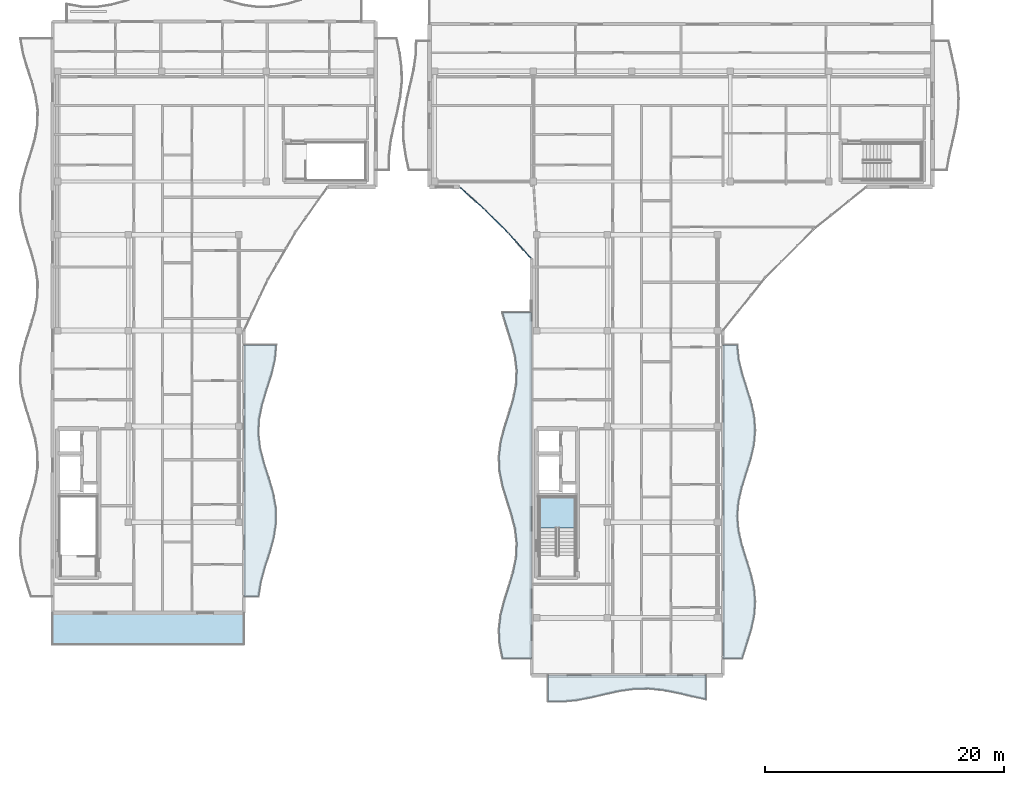
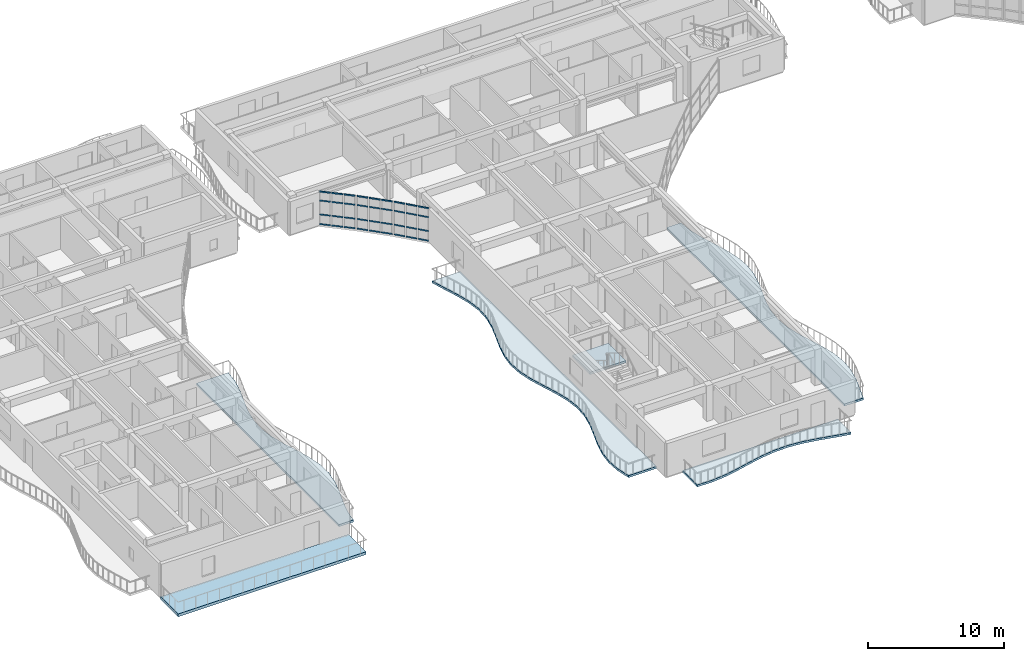
# One storey, part 22 of 68: 36 members, 6 slabs, 4 elements without a shape of their own.
"""IFC4 building model written with IfcOpenShell, lengths in metres."""

from ifc_helpers import new_model, si_unit, direction, frame, origin, origin_2d, place, context, subcontext, project, spatial, polyline, hollow_rectangle, outline, extrude, material, layer, layer_set, material_profile, profile_set, type_object, element, aggregate, save


model = new_model("IFC4")

# Units and contexts
model_context = context("Model", 3, precision=1e-05, world=origin(), true_north=direction((0.0, 1.0)))
body_context = subcontext(model_context, "Body", "Model", "MODEL_VIEW")
ifc_project = project(units=[si_unit("LENGTHUNIT", "METRE"), si_unit("AREAUNIT", "SQUARE_METRE"), si_unit("VOLUMEUNIT", "CUBIC_METRE"), si_unit("PLANEANGLEUNIT", "RADIAN"), si_unit("MASSUNIT", "GRAM", prefix="KILO")], contexts=[model_context])

# Site, building, storey
site_placement = place(None, origin())
site = spatial("IfcSite", under=ifc_project, at=site_placement, CompositionType="ELEMENT")
building_placement = place(site_placement, origin())
building = spatial("IfcBuilding", under=site, at=building_placement, Name="Keldmere Railside Commons", CompositionType="ELEMENT")
storey_placement = place(building_placement, frame((0.0, 0.0, 23.360107421875)))
storey = spatial("IfcBuildingStorey", under=building, at=storey_placement, Name="L07", CompositionType="ELEMENT", Elevation=23.360107421875)

# Curtain wall, members
ifc_material_1 = material(Name="Thermally Broken Aluminium", Category="aluminium")
ifc_layer_1 = layer(ifc_material_1, 0.159912109375, Name="Court Chord Wintergarden CW 4800x2850")
ifc_layer_set_1 = layer_set([ifc_layer_1], Name="Thermally Broken Aluminium")
curtain_wall_type_1 = type_object("IfcCurtainWallType", Name="Court Chord Wintergarden CW 4800x2850", PredefinedType="NOTDEFINED", material=ifc_layer_set_1)
curtain_wall_1_placement = place(storey_placement, origin())
curtain_wall_1 = element("IfcCurtainWall", 1, at=curtain_wall_1_placement, inside=storey, type_object=curtain_wall_type_1, Name="CW-12 CW-L07-070", PredefinedType="NOTDEFINED")
ifc_material_profile = material_profile(ifc_material_1, hollow_rectangle(XDim=0.06494140625, YDim=0.1201171875, WallThickness=0.00390625, at=origin_2d()), Name="ALU-TRAN-65x120")
ifc_profile_set = profile_set([ifc_material_profile], Name="Thermally Broken Aluminium")
member_type = type_object("IfcMemberType", Name="Unitised Curtain Wall Transom 65x120", PredefinedType="USERDEFINED", material=ifc_profile_set)
member_1_placement = place(storey_placement, frame((44.0595703125, 98.1533203125, 0.032470703125), z_axis=(-0.744569440646, 0.667545015752, 0.0), x_axis=(-0.667545015752, -0.744569440646, 0.0)))
member_1 = element("IfcMember", 2, at=member_1_placement, type_object=member_type, Name="CW-12 transom 1.1", ObjectType="TRANSOM", PredefinedType="USERDEFINED", context=body_context, shape_type="SweptSolid", body=[
    extrude(hollow_rectangle(XDim=0.06494140625, YDim=0.1201171875, WallThickness=0.00390625, at=origin_2d()), origin(), (0.0, 0.0, 1.0), 0.84619140625),
])
member_2_placement = place(storey_placement, frame((44.0595703125, 98.1533203125, 0.89990234375), z_axis=(-0.744569440646, 0.667545015752, 0.0), x_axis=(-0.667545015752, -0.744569440646, 0.0)))
member_2 = element("IfcMember", 3, at=member_2_placement, type_object=member_type, Name="CW-12 transom 1.2", ObjectType="TRANSOM", PredefinedType="USERDEFINED", context=body_context, shape_type="SweptSolid", body=[
    extrude(hollow_rectangle(XDim=0.06494140625, YDim=0.1201171875, WallThickness=0.00390625, at=origin_2d()), origin(), (0.0, 0.0, 1.0), 0.84619140625),
])
member_3_placement = place(storey_placement, frame((44.0595703125, 98.1533203125, 2.14990234375), z_axis=(-0.744569440646, 0.667545015752, 0.0), x_axis=(-0.667545015752, -0.744569440646, 0.0)))
member_3 = element("IfcMember", 4, at=member_3_placement, type_object=member_type, Name="CW-12 transom 1.3", ObjectType="TRANSOM", PredefinedType="USERDEFINED", context=body_context, shape_type="SweptSolid", body=[
    extrude(hollow_rectangle(XDim=0.06494140625, YDim=0.1201171875, WallThickness=0.00390625, at=origin_2d()), origin(), (0.0, 0.0, 1.0), 0.84619140625),
])
member_4_placement = place(storey_placement, frame((44.0595703125, 98.1533203125, 2.947509765625), z_axis=(-0.744569440646, 0.667545015752, 0.0), x_axis=(-0.667545015752, -0.744569440646, 0.0)))
member_4 = element("IfcMember", 5, at=member_4_placement, type_object=member_type, Name="CW-12 transom 1.4", ObjectType="TRANSOM", PredefinedType="USERDEFINED", context=body_context, shape_type="SweptSolid", body=[
    extrude(hollow_rectangle(XDim=0.06494140625, YDim=0.1201171875, WallThickness=0.00390625, at=origin_2d()), origin(), (0.0, 0.0, 1.0), 0.84619140625),
])
member_5_placement = place(storey_placement, frame((43.381103515625, 98.76171875, 0.032470703125), z_axis=(-0.744536109606, 0.667582190815, 0.0), x_axis=(-0.667582190815, -0.744536109606, 0.0)))
member_5 = element("IfcMember", 6, at=member_5_placement, type_object=member_type, Name="CW-12 transom 2.1", ObjectType="TRANSOM", PredefinedType="USERDEFINED", context=body_context, shape_type="SweptSolid", body=[
    extrude(hollow_rectangle(XDim=0.06494140625, YDim=0.1201171875, WallThickness=0.00390625, at=origin_2d()), origin(), (0.0, 0.0, 1.0), 0.87890625),
])
member_6_placement = place(storey_placement, frame((43.381103515625, 98.76171875, 0.89990234375), z_axis=(-0.744536109606, 0.667582190815, 0.0), x_axis=(-0.667582190815, -0.744536109606, 0.0)))
member_6 = element("IfcMember", 7, at=member_6_placement, type_object=member_type, Name="CW-12 transom 2.2", ObjectType="TRANSOM", PredefinedType="USERDEFINED", context=body_context, shape_type="SweptSolid", body=[
    extrude(hollow_rectangle(XDim=0.06494140625, YDim=0.1201171875, WallThickness=0.00390625, at=origin_2d()), origin(), (0.0, 0.0, 1.0), 0.87890625),
])
member_7_placement = place(storey_placement, frame((43.381103515625, 98.76171875, 2.14990234375), z_axis=(-0.744536109606, 0.667582190815, 0.0), x_axis=(-0.667582190815, -0.744536109606, 0.0)))
member_7 = element("IfcMember", 8, at=member_7_placement, type_object=member_type, Name="CW-12 transom 2.3", ObjectType="TRANSOM", PredefinedType="USERDEFINED", context=body_context, shape_type="SweptSolid", body=[
    extrude(hollow_rectangle(XDim=0.06494140625, YDim=0.1201171875, WallThickness=0.00390625, at=origin_2d()), origin(), (0.0, 0.0, 1.0), 0.87890625),
])
member_8_placement = place(storey_placement, frame((43.381103515625, 98.76171875, 2.947509765625), z_axis=(-0.744536109606, 0.667582190815, 0.0), x_axis=(-0.667582190815, -0.744536109606, 0.0)))
member_8 = element("IfcMember", 9, at=member_8_placement, type_object=member_type, Name="CW-12 transom 2.4", ObjectType="TRANSOM", PredefinedType="USERDEFINED", context=body_context, shape_type="SweptSolid", body=[
    extrude(hollow_rectangle(XDim=0.06494140625, YDim=0.1201171875, WallThickness=0.00390625, at=origin_2d()), origin(), (0.0, 0.0, 1.0), 0.87890625),
])
member_9_placement = place(storey_placement, frame((42.678466796875, 99.3916015625, 0.032470703125), z_axis=(-0.744569440646, 0.667545015752, 0.0), x_axis=(-0.667545015752, -0.744569440646, 0.0)))
member_9 = element("IfcMember", 10, at=member_9_placement, type_object=member_type, Name="CW-12 transom 3.1", ObjectType="TRANSOM", PredefinedType="USERDEFINED", context=body_context, shape_type="SweptSolid", body=[
    extrude(hollow_rectangle(XDim=0.06494140625, YDim=0.1201171875, WallThickness=0.00390625, at=origin_2d()), origin(), (0.0, 0.0, 1.0), 0.84619140625),
])
member_10_placement = place(storey_placement, frame((42.678466796875, 99.3916015625, 0.89990234375), z_axis=(-0.744569440646, 0.667545015752, 0.0), x_axis=(-0.667545015752, -0.744569440646, 0.0)))
member_10 = element("IfcMember", 11, at=member_10_placement, type_object=member_type, Name="CW-12 transom 3.2", ObjectType="TRANSOM", PredefinedType="USERDEFINED", context=body_context, shape_type="SweptSolid", body=[
    extrude(hollow_rectangle(XDim=0.06494140625, YDim=0.1201171875, WallThickness=0.00390625, at=origin_2d()), origin(), (0.0, 0.0, 1.0), 0.84619140625),
])
member_11_placement = place(storey_placement, frame((42.678466796875, 99.3916015625, 2.14990234375), z_axis=(-0.744569440646, 0.667545015752, 0.0), x_axis=(-0.667545015752, -0.744569440646, 0.0)))
member_11 = element("IfcMember", 12, at=member_11_placement, type_object=member_type, Name="CW-12 transom 3.3", ObjectType="TRANSOM", PredefinedType="USERDEFINED", context=body_context, shape_type="SweptSolid", body=[
    extrude(hollow_rectangle(XDim=0.06494140625, YDim=0.1201171875, WallThickness=0.00390625, at=origin_2d()), origin(), (0.0, 0.0, 1.0), 0.84619140625),
])
member_12_placement = place(storey_placement, frame((42.678466796875, 99.3916015625, 2.947509765625), z_axis=(-0.744569440646, 0.667545015752, 0.0), x_axis=(-0.667545015752, -0.744569440646, 0.0)))
member_12 = element("IfcMember", 13, at=member_12_placement, type_object=member_type, Name="CW-12 transom 3.4", ObjectType="TRANSOM", PredefinedType="USERDEFINED", context=body_context, shape_type="SweptSolid", body=[
    extrude(hollow_rectangle(XDim=0.06494140625, YDim=0.1201171875, WallThickness=0.00390625, at=origin_2d()), origin(), (0.0, 0.0, 1.0), 0.84619140625),
])
aggregate(curtain_wall_1, [member_1, member_2, member_3, member_4, member_5, member_6, member_7, member_8, member_9, member_10, member_11, member_12])

ifc_layer_2 = layer(ifc_material_1, 0.159912109375, Name="Court Chord Wintergarden CW 5400x2850")
ifc_layer_set_2 = layer_set([ifc_layer_2], Name="Thermally Broken Aluminium")
curtain_wall_type_2 = type_object("IfcCurtainWallType", Name="Court Chord Wintergarden CW 5400x2850", PredefinedType="NOTDEFINED", material=ifc_layer_set_2)
curtain_wall_2_placement = place(storey_placement, origin())
curtain_wall_2 = element("IfcCurtainWall", 14, at=curtain_wall_2_placement, inside=storey, type_object=curtain_wall_type_2, Name="CW-13 CW-L07-071", PredefinedType="NOTDEFINED")
member_13_placement = place(storey_placement, frame((46.06396484375, 96.154052734375, 0.032470703125), z_axis=(-0.707106781187, 0.707106781187, 0.0), x_axis=(-0.707106781187, -0.707106781187, 0.0)))
member_13 = element("IfcMember", 15, at=member_13_placement, type_object=member_type, Name="CW-13 transom 1.1", ObjectType="TRANSOM", PredefinedType="USERDEFINED", context=body_context, shape_type="SweptSolid", body=[
    extrude(hollow_rectangle(XDim=0.06494140625, YDim=0.1201171875, WallThickness=0.00390625, at=origin_2d()), origin(), (0.0, 0.0, 1.0), 0.84619140625),
])
member_14_placement = place(storey_placement, frame((46.06396484375, 96.154052734375, 0.89990234375), z_axis=(-0.707106781187, 0.707106781187, 0.0), x_axis=(-0.707106781187, -0.707106781187, 0.0)))
member_14 = element("IfcMember", 16, at=member_14_placement, type_object=member_type, Name="CW-13 transom 1.2", ObjectType="TRANSOM", PredefinedType="USERDEFINED", context=body_context, shape_type="SweptSolid", body=[
    extrude(hollow_rectangle(XDim=0.06494140625, YDim=0.1201171875, WallThickness=0.00390625, at=origin_2d()), origin(), (0.0, 0.0, 1.0), 0.84619140625),
])
member_15_placement = place(storey_placement, frame((46.06396484375, 96.154052734375, 2.14990234375), z_axis=(-0.707106781187, 0.707106781187, 0.0), x_axis=(-0.707106781187, -0.707106781187, 0.0)))
member_15 = element("IfcMember", 17, at=member_15_placement, type_object=member_type, Name="CW-13 transom 1.3", ObjectType="TRANSOM", PredefinedType="USERDEFINED", context=body_context, shape_type="SweptSolid", body=[
    extrude(hollow_rectangle(XDim=0.06494140625, YDim=0.1201171875, WallThickness=0.00390625, at=origin_2d()), origin(), (0.0, 0.0, 1.0), 0.84619140625),
])
member_16_placement = place(storey_placement, frame((46.06396484375, 96.154052734375, 2.947509765625), z_axis=(-0.707106781187, 0.707106781187, 0.0), x_axis=(-0.707106781187, -0.707106781187, 0.0)))
member_16 = element("IfcMember", 18, at=member_16_placement, type_object=member_type, Name="CW-13 transom 1.4", ObjectType="TRANSOM", PredefinedType="USERDEFINED", context=body_context, shape_type="SweptSolid", body=[
    extrude(hollow_rectangle(XDim=0.06494140625, YDim=0.1201171875, WallThickness=0.00390625, at=origin_2d()), origin(), (0.0, 0.0, 1.0), 0.84619140625),
])
member_17_placement = place(storey_placement, frame((45.419677734375, 96.79833984375, 0.032470703125), z_axis=(-0.707106781187, 0.707106781187, 0.0), x_axis=(-0.707106781187, -0.707106781187, 0.0)))
member_17 = element("IfcMember", 19, at=member_17_placement, type_object=member_type, Name="CW-13 transom 2.1", ObjectType="TRANSOM", PredefinedType="USERDEFINED", context=body_context, shape_type="SweptSolid", body=[
    extrude(hollow_rectangle(XDim=0.06494140625, YDim=0.1201171875, WallThickness=0.00390625, at=origin_2d()), origin(), (0.0, 0.0, 1.0), 0.878662109375),
])
member_18_placement = place(storey_placement, frame((45.419677734375, 96.79833984375, 0.89990234375), z_axis=(-0.707106781187, 0.707106781187, 0.0), x_axis=(-0.707106781187, -0.707106781187, 0.0)))
member_18 = element("IfcMember", 20, at=member_18_placement, type_object=member_type, Name="CW-13 transom 2.2", ObjectType="TRANSOM", PredefinedType="USERDEFINED", context=body_context, shape_type="SweptSolid", body=[
    extrude(hollow_rectangle(XDim=0.06494140625, YDim=0.1201171875, WallThickness=0.00390625, at=origin_2d()), origin(), (0.0, 0.0, 1.0), 0.878662109375),
])
member_19_placement = place(storey_placement, frame((45.419677734375, 96.79833984375, 2.14990234375), z_axis=(-0.707106781187, 0.707106781187, 0.0), x_axis=(-0.707106781187, -0.707106781187, 0.0)))
member_19 = element("IfcMember", 21, at=member_19_placement, type_object=member_type, Name="CW-13 transom 2.3", ObjectType="TRANSOM", PredefinedType="USERDEFINED", context=body_context, shape_type="SweptSolid", body=[
    extrude(hollow_rectangle(XDim=0.06494140625, YDim=0.1201171875, WallThickness=0.00390625, at=origin_2d()), origin(), (0.0, 0.0, 1.0), 0.878662109375),
])
member_20_placement = place(storey_placement, frame((45.419677734375, 96.79833984375, 2.947509765625), z_axis=(-0.707106781187, 0.707106781187, 0.0), x_axis=(-0.707106781187, -0.707106781187, 0.0)))
member_20 = element("IfcMember", 22, at=member_20_placement, type_object=member_type, Name="CW-13 transom 2.4", ObjectType="TRANSOM", PredefinedType="USERDEFINED", context=body_context, shape_type="SweptSolid", body=[
    extrude(hollow_rectangle(XDim=0.06494140625, YDim=0.1201171875, WallThickness=0.00390625, at=origin_2d()), origin(), (0.0, 0.0, 1.0), 0.878662109375),
])
member_21_placement = place(storey_placement, frame((44.75244140625, 97.465576171875, 0.032470703125), z_axis=(-0.707106781187, 0.707106781187, 0.0), x_axis=(-0.707106781187, -0.707106781187, 0.0)))
member_21 = element("IfcMember", 23, at=member_21_placement, type_object=member_type, Name="CW-13 transom 3.1", ObjectType="TRANSOM", PredefinedType="USERDEFINED", context=body_context, shape_type="SweptSolid", body=[
    extrude(hollow_rectangle(XDim=0.06494140625, YDim=0.1201171875, WallThickness=0.00390625, at=origin_2d()), origin(), (0.0, 0.0, 1.0), 0.84619140625),
])
member_22_placement = place(storey_placement, frame((44.75244140625, 97.465576171875, 0.89990234375), z_axis=(-0.707106781187, 0.707106781187, 0.0), x_axis=(-0.707106781187, -0.707106781187, 0.0)))
member_22 = element("IfcMember", 24, at=member_22_placement, type_object=member_type, Name="CW-13 transom 3.2", ObjectType="TRANSOM", PredefinedType="USERDEFINED", context=body_context, shape_type="SweptSolid", body=[
    extrude(hollow_rectangle(XDim=0.06494140625, YDim=0.1201171875, WallThickness=0.00390625, at=origin_2d()), origin(), (0.0, 0.0, 1.0), 0.84619140625),
])
member_23_placement = place(storey_placement, frame((44.75244140625, 97.465576171875, 2.14990234375), z_axis=(-0.707106781187, 0.707106781187, 0.0), x_axis=(-0.707106781187, -0.707106781187, 0.0)))
member_23 = element("IfcMember", 25, at=member_23_placement, type_object=member_type, Name="CW-13 transom 3.3", ObjectType="TRANSOM", PredefinedType="USERDEFINED", context=body_context, shape_type="SweptSolid", body=[
    extrude(hollow_rectangle(XDim=0.06494140625, YDim=0.1201171875, WallThickness=0.00390625, at=origin_2d()), origin(), (0.0, 0.0, 1.0), 0.84619140625),
])
member_24_placement = place(storey_placement, frame((44.75244140625, 97.465576171875, 2.947509765625), z_axis=(-0.707106781187, 0.707106781187, 0.0), x_axis=(-0.707106781187, -0.707106781187, 0.0)))
member_24 = element("IfcMember", 26, at=member_24_placement, type_object=member_type, Name="CW-13 transom 3.4", ObjectType="TRANSOM", PredefinedType="USERDEFINED", context=body_context, shape_type="SweptSolid", body=[
    extrude(hollow_rectangle(XDim=0.06494140625, YDim=0.1201171875, WallThickness=0.00390625, at=origin_2d()), origin(), (0.0, 0.0, 1.0), 0.84619140625),
])
aggregate(curtain_wall_2, [member_13, member_14, member_15, member_16, member_17, member_18, member_19, member_20, member_21, member_22, member_23, member_24])

curtain_wall_3_placement = place(storey_placement, origin())
curtain_wall_3 = element("IfcCurtainWall", 27, at=curtain_wall_3_placement, inside=storey, type_object=curtain_wall_type_1, Name="CW-12 CW-L07-072", PredefinedType="NOTDEFINED")
member_25_placement = place(storey_placement, frame((47.95654296875, 94.04833984375, 0.032470703125), z_axis=(-0.667545015752, 0.744569440646, 0.0), x_axis=(-0.744569440646, -0.667545015752, 0.0)))
member_25 = element("IfcMember", 28, at=member_25_placement, type_object=member_type, Name="CW-12 transom 1.1", ObjectType="TRANSOM", PredefinedType="USERDEFINED", context=body_context, shape_type="SweptSolid", body=[
    extrude(hollow_rectangle(XDim=0.06494140625, YDim=0.1201171875, WallThickness=0.00390625, at=origin_2d()), origin(), (0.0, 0.0, 1.0), 0.84619140625),
])
member_26_placement = place(storey_placement, frame((47.95654296875, 94.04833984375, 0.89990234375), z_axis=(-0.667545015752, 0.744569440646, 0.0), x_axis=(-0.744569440646, -0.667545015752, 0.0)))
member_26 = element("IfcMember", 29, at=member_26_placement, type_object=member_type, Name="CW-12 transom 1.2", ObjectType="TRANSOM", PredefinedType="USERDEFINED", context=body_context, shape_type="SweptSolid", body=[
    extrude(hollow_rectangle(XDim=0.06494140625, YDim=0.1201171875, WallThickness=0.00390625, at=origin_2d()), origin(), (0.0, 0.0, 1.0), 0.84619140625),
])
member_27_placement = place(storey_placement, frame((47.95654296875, 94.04833984375, 2.14990234375), z_axis=(-0.667545015752, 0.744569440646, 0.0), x_axis=(-0.744569440646, -0.667545015752, 0.0)))
member_27 = element("IfcMember", 30, at=member_27_placement, type_object=member_type, Name="CW-12 transom 1.3", ObjectType="TRANSOM", PredefinedType="USERDEFINED", context=body_context, shape_type="SweptSolid", body=[
    extrude(hollow_rectangle(XDim=0.06494140625, YDim=0.1201171875, WallThickness=0.00390625, at=origin_2d()), origin(), (0.0, 0.0, 1.0), 0.84619140625),
])
member_28_placement = place(storey_placement, frame((47.95654296875, 94.04833984375, 2.947509765625), z_axis=(-0.667545015752, 0.744569440646, 0.0), x_axis=(-0.744569440646, -0.667545015752, 0.0)))
member_28 = element("IfcMember", 31, at=member_28_placement, type_object=member_type, Name="CW-12 transom 1.4", ObjectType="TRANSOM", PredefinedType="USERDEFINED", context=body_context, shape_type="SweptSolid", body=[
    extrude(hollow_rectangle(XDim=0.06494140625, YDim=0.1201171875, WallThickness=0.00390625, at=origin_2d()), origin(), (0.0, 0.0, 1.0), 0.84619140625),
])
member_29_placement = place(storey_placement, frame((47.348388671875, 94.726806640625, 0.032470703125), z_axis=(-0.667582190815, 0.744536109606, 0.0), x_axis=(-0.744536109606, -0.667582190815, 0.0)))
member_29 = element("IfcMember", 32, at=member_29_placement, type_object=member_type, Name="CW-12 transom 2.1", ObjectType="TRANSOM", PredefinedType="USERDEFINED", context=body_context, shape_type="SweptSolid", body=[
    extrude(hollow_rectangle(XDim=0.06494140625, YDim=0.1201171875, WallThickness=0.00390625, at=origin_2d()), origin(), (0.0, 0.0, 1.0), 0.87890625),
])
member_30_placement = place(storey_placement, frame((47.348388671875, 94.726806640625, 0.89990234375), z_axis=(-0.667582190815, 0.744536109606, 0.0), x_axis=(-0.744536109606, -0.667582190815, 0.0)))
member_30 = element("IfcMember", 33, at=member_30_placement, type_object=member_type, Name="CW-12 transom 2.2", ObjectType="TRANSOM", PredefinedType="USERDEFINED", context=body_context, shape_type="SweptSolid", body=[
    extrude(hollow_rectangle(XDim=0.06494140625, YDim=0.1201171875, WallThickness=0.00390625, at=origin_2d()), origin(), (0.0, 0.0, 1.0), 0.87890625),
])
member_31_placement = place(storey_placement, frame((47.348388671875, 94.726806640625, 2.14990234375), z_axis=(-0.667582190815, 0.744536109606, 0.0), x_axis=(-0.744536109606, -0.667582190815, 0.0)))
member_31 = element("IfcMember", 34, at=member_31_placement, type_object=member_type, Name="CW-12 transom 2.3", ObjectType="TRANSOM", PredefinedType="USERDEFINED", context=body_context, shape_type="SweptSolid", body=[
    extrude(hollow_rectangle(XDim=0.06494140625, YDim=0.1201171875, WallThickness=0.00390625, at=origin_2d()), origin(), (0.0, 0.0, 1.0), 0.87890625),
])
member_32_placement = place(storey_placement, frame((47.348388671875, 94.726806640625, 2.947509765625), z_axis=(-0.667582190815, 0.744536109606, 0.0), x_axis=(-0.744536109606, -0.667582190815, 0.0)))
member_32 = element("IfcMember", 35, at=member_32_placement, type_object=member_type, Name="CW-12 transom 2.4", ObjectType="TRANSOM", PredefinedType="USERDEFINED", context=body_context, shape_type="SweptSolid", body=[
    extrude(hollow_rectangle(XDim=0.06494140625, YDim=0.1201171875, WallThickness=0.00390625, at=origin_2d()), origin(), (0.0, 0.0, 1.0), 0.87890625),
])
member_33_placement = place(storey_placement, frame((46.71826171875, 95.429443359375, 0.032470703125), z_axis=(-0.667545015752, 0.744569440646, 0.0), x_axis=(-0.744569440646, -0.667545015752, 0.0)))
member_33 = element("IfcMember", 36, at=member_33_placement, type_object=member_type, Name="CW-12 transom 3.1", ObjectType="TRANSOM", PredefinedType="USERDEFINED", context=body_context, shape_type="SweptSolid", body=[
    extrude(hollow_rectangle(XDim=0.06494140625, YDim=0.1201171875, WallThickness=0.00390625, at=origin_2d()), origin(), (0.0, 0.0, 1.0), 0.84619140625),
])
member_34_placement = place(storey_placement, frame((46.71826171875, 95.429443359375, 0.89990234375), z_axis=(-0.667545015752, 0.744569440646, 0.0), x_axis=(-0.744569440646, -0.667545015752, 0.0)))
member_34 = element("IfcMember", 37, at=member_34_placement, type_object=member_type, Name="CW-12 transom 3.2", ObjectType="TRANSOM", PredefinedType="USERDEFINED", context=body_context, shape_type="SweptSolid", body=[
    extrude(hollow_rectangle(XDim=0.06494140625, YDim=0.1201171875, WallThickness=0.00390625, at=origin_2d()), origin(), (0.0, 0.0, 1.0), 0.84619140625),
])
member_35_placement = place(storey_placement, frame((46.71826171875, 95.429443359375, 2.14990234375), z_axis=(-0.667545015752, 0.744569440646, 0.0), x_axis=(-0.744569440646, -0.667545015752, 0.0)))
member_35 = element("IfcMember", 38, at=member_35_placement, type_object=member_type, Name="CW-12 transom 3.3", ObjectType="TRANSOM", PredefinedType="USERDEFINED", context=body_context, shape_type="SweptSolid", body=[
    extrude(hollow_rectangle(XDim=0.06494140625, YDim=0.1201171875, WallThickness=0.00390625, at=origin_2d()), origin(), (0.0, 0.0, 1.0), 0.84619140625),
])
member_36_placement = place(storey_placement, frame((46.71826171875, 95.429443359375, 2.947509765625), z_axis=(-0.667545015752, 0.744569440646, 0.0), x_axis=(-0.744569440646, -0.667545015752, 0.0)))
member_36 = element("IfcMember", 39, at=member_36_placement, type_object=member_type, Name="CW-12 transom 3.4", ObjectType="TRANSOM", PredefinedType="USERDEFINED", context=body_context, shape_type="SweptSolid", body=[
    extrude(hollow_rectangle(XDim=0.06494140625, YDim=0.1201171875, WallThickness=0.00390625, at=origin_2d()), origin(), (0.0, 0.0, 1.0), 0.84619140625),
])
aggregate(curtain_wall_3, [member_25, member_26, member_27, member_28, member_29, member_30, member_31, member_32, member_33, member_34, member_35, member_36])

# Stair, slab
ifc_material_2 = material(Name="Concrete H-30 (C30/37)", Category="concrete")
stair_type = type_object("IfcStairType", Name="Residential Core Dogleg Stair 1450", PredefinedType="HALF_TURN_STAIR", material=ifc_material_2)
stair_placement = place(storey_placement, origin())
stair = element("IfcStair", 40, at=stair_placement, inside=storey, type_object=stair_type, Name="L07 Block C Primary Escape Stair 1", PredefinedType="HALF_TURN_STAIR")
ifc_layer_3 = layer(ifc_material_2, 0.199951171875, Name="Enclosed Stair Landing Slab 200")
ifc_layer_set_3 = layer_set([ifc_layer_3], Name="Concrete H-30 (C30/37)")
slab_type_1 = type_object("IfcSlabType", Name="Enclosed Stair Landing Slab 200", PredefinedType="LANDING", material=ifc_layer_set_3)
slab_1_placement = place(storey_placement, frame((0.0, 0.0, 1.39990234375)))
slab_1 = element("IfcSlab", 41, at=slab_1_placement, type_object=slab_type_1, Name="ST-C1 landing 1", PredefinedType="LANDING", context=body_context, shape_type="SweptSolid", body=[
    extrude(outline(polyline([(51.699951171875, 71.52001953125), (51.699951171875, 74.10009765625), (48.64990234375, 74.10009765625), (48.64990234375, 71.52001953125), (51.699951171875, 71.52001953125)])), origin(), (0.0, 0.0, 1.0), 0.199951171875),
])
aggregate(stair, [slab_1])

# Slabs
ifc_material_3 = material(Name="Concrete H-35 (C35/45)", Category="concrete")
ifc_layer_4 = layer(ifc_material_3, 0.25, Name="Planted Terrace Roof Slab 250")
ifc_layer_set_4 = layer_set([ifc_layer_4], Name="Concrete H-35 (C35/45)")
slab_type_2 = type_object("IfcSlabType", Name="Planted Terrace Roof Slab 250", PredefinedType="ROOF", material=ifc_layer_set_4)
slab_2_placement = place(storey_placement, frame((0.0, 0.0, -0.25)))
element("IfcSlab", 42, at=slab_2_placement, inside=storey, type_object=slab_type_2, Name="RT-1 TERRD-L07-018", PredefinedType="ROOF", context=body_context, shape_type="SweptSolid", body=[
    extrude(outline(polyline([(24.0, 61.800048828125), (24.0, 64.389892578125), (8.0, 64.389892578125), (8.0, 61.800048828125), (24.0, 61.800048828125)])), origin(), (0.0, 0.0, 1.0), 0.25),
])
ifc_material_4 = material(Name="White Precast Concrete H-35 (C35/45)", Category="concrete")
ifc_layer_5 = layer(ifc_material_4, 0.179931640625, Name="Sinusoidal Wave Balcony Slab 180")
ifc_layer_set_5 = layer_set([ifc_layer_5], Name="White Precast Concrete H-35 (C35/45)")
slab_type_3 = type_object("IfcSlabType", Name="Sinusoidal Wave Balcony Slab 180", PredefinedType="FLOOR", material=ifc_layer_set_5)
slab_3_placement = place(storey_placement, frame((0.0, 0.0, -0.18017578125)))
element("IfcSlab", 43, at=slab_3_placement, inside=storey, type_object=slab_type_3, Name="WB-1 D L07 CE Wave Balcony", PredefinedType="FLOOR", context=body_context, shape_type="SweptSolid", body=[
    extrude(outline(polyline([(25.22119140625, 65.800048828125), (25.4150390625, 67.035400390625), (25.7607421875, 68.2705078125), (26.159912109375, 69.505859375), (26.499755859375, 70.7412109375), (26.68359375, 71.9765625), (26.659423828125, 73.2119140625), (26.43408203125, 74.447021484375), (26.071533203125, 75.682373046875), (25.674560546875, 76.91748046875), (25.35546875, 78.15283203125), (25.205078125, 79.38818359375), (25.265869140625, 80.62353515625), (25.520751953125, 81.85888671875), (25.897216796875, 83.093994140625), (26.288818359375, 84.329345703125), (26.584228515625, 85.564697265625), (26.69970703125, 86.800048828125), (24.0, 86.800048828125), (24.0, 85.564697265625), (24.0, 84.329345703125), (24.0, 83.093994140625), (24.0, 81.85888671875), (24.0, 80.62353515625), (24.0, 79.38818359375), (24.0, 78.15283203125), (24.0, 76.91748046875), (24.0, 75.682373046875), (24.0, 74.447021484375), (24.0, 73.2119140625), (24.0, 71.9765625), (24.0, 70.7412109375), (24.0, 69.505859375), (24.0, 68.2705078125), (24.0, 67.035400390625), (24.0, 65.800048828125), (25.22119140625, 65.800048828125)])), origin(), (0.0, 0.0, 1.0), 0.18017578125),
])
slab_4_placement = place(storey_placement, frame((0.0, 0.0, -0.18017578125)))
element("IfcSlab", 44, at=slab_4_placement, inside=storey, type_object=slab_type_3, Name="WB-1 C L07 CE Wave Balcony", PredefinedType="FLOOR", context=body_context, shape_type="SweptSolid", body=[
    extrude(outline(polyline([(65.6015625, 60.60009765625), (65.977294921875, 61.791015625), (66.345947265625, 62.981689453125), (66.60986328125, 64.172607421875), (66.69970703125, 65.363525390625), (66.591796875, 66.554443359375), (66.314208984375, 67.74560546875), (65.9404296875, 68.936279296875), (65.5693359375, 70.127197265625), (65.298583984375, 71.318115234375), (65.199951171875, 72.509033203125), (65.29931640625, 73.699951171875), (65.5703125, 74.890869140625), (65.941650390625, 76.081787109375), (66.315185546875, 77.272705078125), (66.59228515625, 78.463623046875), (66.69970703125, 79.654541015625), (66.609375, 80.845458984375), (66.344970703125, 82.036376953125), (65.976318359375, 83.227294921875), (65.6005859375, 84.418212890625), (65.317138671875, 85.609130859375), (65.20068359375, 86.800048828125), (64.0, 86.800048828125), (64.0, 85.609130859375), (64.0, 84.418212890625), (64.0, 83.227294921875), (64.0, 82.036376953125), (64.0, 80.845458984375), (64.0, 79.654541015625), (64.0, 78.463623046875), (64.0, 77.272705078125), (64.0, 76.081787109375), (64.0, 74.890869140625), (64.0, 73.699951171875), (64.0, 72.509033203125), (64.0, 71.318115234375), (64.0, 70.127197265625), (64.0, 68.936279296875), (64.0, 67.74560546875), (64.0, 66.554443359375), (64.0, 65.363525390625), (64.0, 64.172607421875), (64.0, 62.981689453125), (64.0, 61.791015625), (64.0, 60.60009765625), (65.6015625, 60.60009765625)])), origin(), (0.0, 0.0, 1.0), 0.18017578125),
])
slab_5_placement = place(storey_placement, frame((0.0, 0.0, -0.18017578125)))
element("IfcSlab", 45, at=slab_5_placement, inside=storey, type_object=slab_type_3, Name="WB-1 C L07 CW Wave Balcony", PredefinedType="FLOOR", context=body_context, shape_type="SweptSolid", body=[
    extrude(outline(polyline([(48.0, 60.60009765625), (48.0, 61.80419921875), (48.0, 63.00830078125), (48.0, 64.21240234375), (48.0, 65.416748046875), (48.0, 66.620849609375), (48.0, 67.824951171875), (48.0, 69.029296875), (48.0, 70.2333984375), (48.0, 71.4375), (48.0, 72.6416015625), (48.0, 73.845703125), (48.0, 75.050048828125), (48.0, 76.254150390625), (48.0, 77.458251953125), (48.0, 78.66259765625), (48.0, 79.86669921875), (48.0, 81.07080078125), (48.0, 82.27490234375), (48.0, 83.479248046875), (48.0, 84.683349609375), (48.0, 85.887451171875), (48.0, 87.091796875), (48.0, 88.2958984375), (48.0, 89.5), (45.58984375, 89.5), (45.948974609375, 88.2958984375), (46.33544921875, 87.091796875), (46.644775390625, 85.887451171875), (46.793701171875, 84.683349609375), (46.741943359375, 83.479248046875), (46.503662109375, 82.27490234375), (46.142822265625, 81.07080078125), (45.757080078125, 79.86669921875), (45.4501953125, 78.66259765625), (45.305419921875, 77.458251953125), (45.361083984375, 76.254150390625), (45.602783203125, 75.050048828125), (45.96533203125, 73.845703125), (46.3505859375, 72.6416015625), (46.654541015625, 71.4375), (46.795654296875, 70.2333984375), (46.735595703125, 69.029296875), (46.490478515625, 67.824951171875), (46.126708984375, 66.620849609375), (45.7421875, 65.416748046875), (45.440673828125, 64.21240234375), (45.303466796875, 63.00830078125), (45.367919921875, 61.80419921875), (45.6162109375, 60.60009765625), (48.0, 60.60009765625)])), origin(), (0.0, 0.0, 1.0), 0.18017578125),
])
slab_6_placement = place(storey_placement, frame((0.0, 0.0, -0.18017578125)))
element("IfcSlab", 46, at=slab_6_placement, inside=storey, type_object=slab_type_3, Name="WB-1 C L07 S Wave Balcony", PredefinedType="FLOOR", context=body_context, shape_type="SweptSolid", body=[
    extrude(outline(polyline([(49.39990234375, 57.0341796875), (50.60009765625, 57.0078125), (51.800048828125, 57.126953125), (53.0, 57.359375), (54.199951171875, 57.642822265625), (55.39990234375, 57.901611328125), (56.60009765625, 58.06591796875), (57.800048828125, 58.092041015625), (59.0, 57.97314453125), (60.199951171875, 57.740478515625), (61.39990234375, 57.457275390625), (62.60009765625, 57.198486328125), (62.60009765625, 59.199951171875), (61.39990234375, 59.199951171875), (60.199951171875, 59.199951171875), (59.0, 59.199951171875), (57.800048828125, 59.199951171875), (56.60009765625, 59.199951171875), (55.39990234375, 59.199951171875), (54.199951171875, 59.199951171875), (53.0, 59.199951171875), (51.800048828125, 59.199951171875), (50.60009765625, 59.199951171875), (49.39990234375, 59.199951171875), (49.39990234375, 57.0341796875)])), origin(), (0.0, 0.0, 1.0), 0.18017578125),
])

save(model, "model.ifc")
